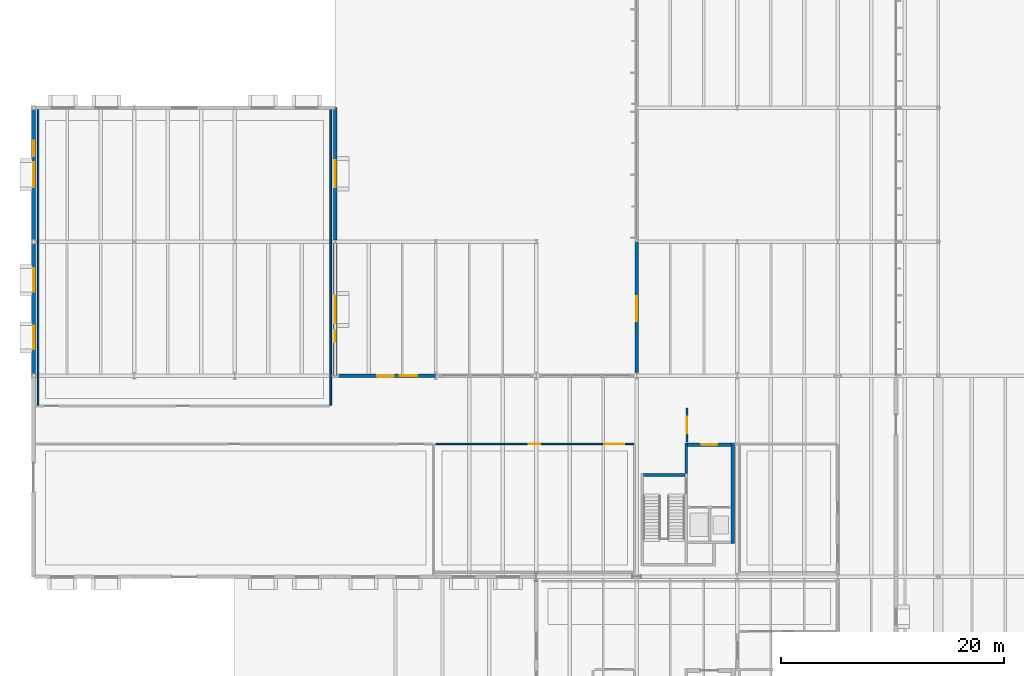
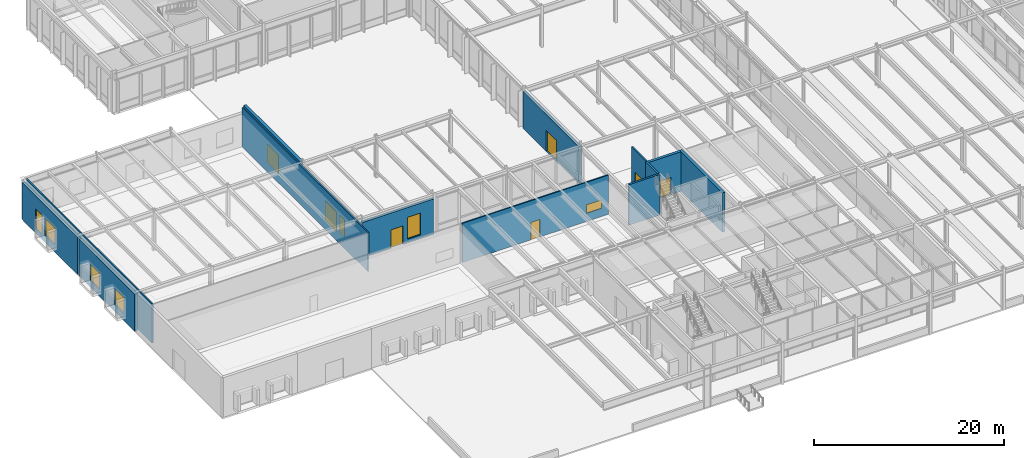
# One storey, part 120 of 143: 14 walls, 9 windows, 5 doors, 14 openings.
"""IFC4 building model written with IfcOpenShell, lengths in metres."""

from ifc_helpers import new_model, si_unit, direction, frame, frame_2d, origin, place, context, subcontext, project, spatial, rectangle, extrude, material, layer, layer_set, type_object, element, fill, save


model = new_model("IFC4")

# Units and contexts
model_context = context("Model", 3, precision=1e-05, world=origin(), true_north=direction((0.0, 1.0)))
body_context = subcontext(model_context, "Body", "Model", "MODEL_VIEW")
ifc_project = project(units=[si_unit("LENGTHUNIT", "METRE"), si_unit("AREAUNIT", "SQUARE_METRE"), si_unit("VOLUMEUNIT", "CUBIC_METRE"), si_unit("PLANEANGLEUNIT", "RADIAN"), si_unit("MASSUNIT", "GRAM", prefix="KILO")], contexts=[model_context])

# Site, building, storey
site_placement = place(None, origin())
site = spatial("IfcSite", under=ifc_project, at=site_placement, CompositionType="ELEMENT")
building_placement = place(site_placement, origin())
building = spatial("IfcBuilding", under=site, at=building_placement, Name="Montelvaro Courts of Justice", CompositionType="ELEMENT")
storey_placement = place(building_placement, origin())
storey = spatial("IfcBuildingStorey", under=building, at=storey_placement, Name="L00", CompositionType="ELEMENT", Elevation=0.0)

# Wall, openings, door, window
ifc_material_1 = material(Name="Gypsum board on metal stud")
ifc_layer_1 = layer(ifc_material_1, 0.14990234375)
ifc_layer_set_1 = layer_set([ifc_layer_1], Name="Gypsum board on metal stud")
wall_type_1 = type_object("IfcWallType", Name="ChambersPartition_150", PredefinedType="PARTITIONING", material=ifc_layer_set_1)
wall_1_placement = place(storey_placement, frame((35.97998046875, 35.89990234375, 0.0), z_axis=(0.0, 0.0, 1.0), x_axis=(1.0, 0.0, 0.0)))
wall_1 = element("IfcWall", 1, at=wall_1_placement, inside=storey, type_object=wall_type_1, Name="Interior Partition IW-04 (L00)", PredefinedType="PARTITIONING", context=body_context, shape_type="SweptSolid", body=[
    extrude(rectangle(XDim=17.739990234375, YDim=0.14990234375, at=frame_2d((8.8701171875, 0.0))), origin(), (0.0, 0.0, 1.0), 5.0400390625),
])
opening_1_placement = place(wall_1_placement, frame((8.344970703125, 0.0, 0.0)))
opening_1 = element("IfcOpeningElement", 2, at=opening_1_placement, cuts=wall_1, Name="Opening D-L00-039", PredefinedType="OPENING", context=body_context, shape_type="SweptSolid", body=[
    extrude(rectangle(XDim=1.050048828125, YDim=2.25, at=frame_2d((0.52490234375, 1.125))), frame((0.0, 0.08984375, 0.0), z_axis=(0.0, -1.0, 0.0), x_axis=(1.0, 0.0, 0.0)), (0.0, 0.0, 1.0), 0.1796875),
])
opening_2_placement = place(wall_1_placement, frame((15.090087890625, 0.0, 1.050048828125)))
opening_2 = element("IfcOpeningElement", 3, at=opening_2_placement, cuts=wall_1, Name="Opening WI-01", PredefinedType="OPENING", context=body_context, shape_type="SweptSolid", body=[
    extrude(rectangle(XDim=1.800048828125, YDim=1.10009765625, at=frame_2d((0.89990234375, 0.550048828125))), frame((0.0, 0.08984375, 0.0), z_axis=(0.0, -1.0, 0.0), x_axis=(1.0, 0.0, 0.0)), (0.0, 0.0, 1.0), 0.1796875),
])
ifc_material_2 = material(Name="Acoustic oak timber veneer", Category="wood")
door_type_1 = type_object("IfcDoorType", Name="ChamberDoor_105x225", OperationType="NOTDEFINED", PredefinedType="DOOR", material=ifc_material_2)
door_1_placement = place(opening_1_placement, frame((1.050048828125, 0.0, 0.0), z_axis=(0.0, 0.0, 1.0), x_axis=(-1.0, 0.0, 0.0)))
door_1 = element("IfcDoor", 4, at=door_1_placement, inside=storey, type_object=door_type_1, Name="Interior Door D-L00-039 (Legal Periodicals Stack Hall)", OperationType="SINGLE_SWING_RIGHT", OverallHeight=2.25, OverallWidth=1.050048828125, PredefinedType="DOOR", context=body_context, shape_type="SweptSolid", body=[
    extrude(rectangle(XDim=1.050048828125, YDim=2.25, at=frame_2d((0.52490234375, 1.125))), frame((0.0, 0.02490234375, 0.0), z_axis=(0.0, -1.0, 0.0), x_axis=(1.0, 0.0, 0.0)), (0.0, 0.0, 1.0), 0.050048828125),
])
fill(opening_1, door_1)
ifc_material_3 = material(Name="Acoustic laminated double glazing", Category="glass")
window_type_1 = type_object("IfcWindowType", Name="IntVision_180x110", PartitioningType="SINGLE_PANEL", PredefinedType="WINDOW", material=ifc_material_3)
window_1_placement = place(opening_2_placement, origin())
window_1 = element("IfcWindow", 5, at=window_1_placement, inside=storey, type_object=window_type_1, Name="Interior Vision Panel WI-021", OverallHeight=1.10009765625, OverallWidth=1.800048828125, PartitioningType="SINGLE_PANEL", PredefinedType="WINDOW", context=body_context, shape_type="SweptSolid", body=[
    extrude(rectangle(XDim=1.800048828125, YDim=1.10009765625, at=frame_2d((0.89990234375, 0.550048828125))), frame((0.0, 0.030029296875, 0.0), z_axis=(0.0, -1.0, 0.0), x_axis=(1.0, 0.0, 0.0)), (0.0, 0.0, 1.0), 0.06005859375),
])
fill(opening_2, window_1)

# Walls
wall_2_placement = place(storey_placement, frame((0.39990234375, 39.3701171875, 0.0), z_axis=(0.0, 0.0, 1.0), x_axis=(0.0, 1.0, 0.0)))
element("IfcWall", 6, at=wall_2_placement, inside=storey, type_object=wall_type_1, Name="Interior Partition IW-04 (L00)", PredefinedType="PARTITIONING", context=body_context, shape_type="SweptSolid", body=[
    extrude(rectangle(XDim=26.471923828125, YDim=0.14990234375, at=frame_2d((13.23583984375, 0.0))), origin(), (0.0, 0.0, 1.0), 5.0400390625),
])
wall_3_placement = place(storey_placement, frame((26.60009765625, 65.830078125, 0.0), z_axis=(0.0, 0.0, 1.0), x_axis=(0.0, -1.0, 0.0)))
element("IfcWall", 7, at=wall_3_placement, inside=storey, type_object=wall_type_1, Name="Interior Partition IW-04 (L00)", PredefinedType="PARTITIONING", context=body_context, shape_type="SweptSolid", body=[
    extrude(rectangle(XDim=26.4501953125, YDim=0.14990234375, at=frame_2d((13.22509765625, 0.0))), origin(), (0.0, 0.0, 1.0), 5.0400390625),
])

# Wall, opening, door
ifc_material_4 = material(Name="Concrete C40/50", Category="concrete")
ifc_layer_2 = layer(ifc_material_4, 0.320068359375)
ifc_layer_set_2 = layer_set([ifc_layer_2], Name="Concrete C40/50")
wall_type_2 = type_object("IfcWallType", Name="CoreWall_320", PredefinedType="SHEAR", material=ifc_layer_set_2)
wall_4_placement = place(storey_placement, frame((58.5400390625, 35.840087890625, 0.0), z_axis=(0.0, 0.0, 1.0), x_axis=(1.0, 0.0, 0.0)))
wall_4 = element("IfcWall", 8, at=wall_4_placement, inside=storey, type_object=wall_type_2, Name="Core Shear Wall CW-02 K5-N (L00)", PredefinedType="SHEAR", context=body_context, shape_type="SweptSolid", body=[
    extrude(rectangle(XDim=3.89990234375, YDim=0.320068359375, at=frame_2d((1.949951171875, 0.0))), origin(), (0.0, 0.0, 1.0), 5.06005859375),
])
opening_3_placement = place(wall_4_placement, frame((1.22509765625, 0.0, 0.0)))
opening_3 = element("IfcOpeningElement", 9, at=opening_3_placement, cuts=wall_4, Name="Opening DL-L00-K5", PredefinedType="OPENING", context=body_context, shape_type="SweptSolid", body=[
    extrude(rectangle(XDim=1.449951171875, YDim=2.199951171875, at=frame_2d((0.72509765625, 1.10009765625))), frame((0.0, 0.1748046875, 0.0), z_axis=(0.0, -1.0, 0.0), x_axis=(1.0, 0.0, 0.0)), (0.0, 0.0, 1.0), 0.349853515625),
])
ifc_material_5 = material(Name="Galvanised steel S355 security door", Category="steel")
door_type_2 = type_object("IfcDoorType", Name="LobbyFireDoor_145x220", OperationType="DOUBLE_DOOR_SINGLE_SWING", PredefinedType="DOOR", material=ifc_material_5)
door_2_placement = place(opening_3_placement, origin())
door_2 = element("IfcDoor", 10, at=door_2_placement, inside=storey, type_object=door_type_2, Name="Core Lobby Fire Door DL-L00-K5", OperationType="DOUBLE_DOOR_SINGLE_SWING", OverallHeight=2.199951171875, OverallWidth=1.449951171875, PredefinedType="DOOR", context=body_context, shape_type="SweptSolid", body=[
    extrude(rectangle(XDim=1.449951171875, YDim=2.199951171875, at=frame_2d((0.72509765625, 1.10009765625))), frame((0.0, 0.02490234375, 0.0), z_axis=(0.0, -1.0, 0.0), x_axis=(1.0, 0.0, 0.0)), (0.0, 0.0, 1.0), 0.050048828125),
])
fill(opening_3, door_2)

# Wall
wall_5_placement = place(storey_placement, frame((62.60009765625, 26.9599609375, 0.0), z_axis=(0.0, 0.0, 1.0), x_axis=(0.0, 1.0, 0.0)))
element("IfcWall", 11, at=wall_5_placement, inside=storey, type_object=wall_type_2, Name="Core Shear Wall CW-02 K5-E (L00)", PredefinedType="SHEAR", context=body_context, shape_type="SweptSolid", body=[
    extrude(rectangle(XDim=9.0400390625, YDim=0.320068359375, at=frame_2d((4.52001953125, 0.0))), origin(), (0.0, 0.0, 1.0), 5.06005859375),
])

# Wall, opening, door
ifc_material_6 = material(Name="Fire-rated gypsum and steel stud", Category="steel")
ifc_layer_3 = layer(ifc_material_6, 0.179931640625)
ifc_layer_set_3 = layer_set([ifc_layer_3], Name="Fire-rated gypsum and steel stud")
wall_type_3 = type_object("IfcWallType", Name="CorridorFireWall_180", PredefinedType="PARTITIONING", material=ifc_layer_set_3)
wall_6_placement = place(storey_placement, frame((58.5, 36.080078125, 0.0), z_axis=(0.0, 0.0, 1.0), x_axis=(0.0, 1.0, 0.0)))
wall_6 = element("IfcWall", 12, at=wall_6_placement, inside=storey, type_object=wall_type_3, Name="Interior Partition IW-02 (L00)", PredefinedType="PARTITIONING", context=body_context, shape_type="SweptSolid", body=[
    extrude(rectangle(XDim=3.0400390625, YDim=0.179931640625, at=frame_2d((1.52001953125, 0.0))), origin(), (0.0, 0.0, 1.0), 5.0400390625),
])
opening_4_placement = place(wall_6_placement, frame((0.794921875, 0.0, 0.0)))
opening_4 = element("IfcOpeningElement", 13, at=opening_4_placement, cuts=wall_6, Name="Opening D-L00-028", PredefinedType="OPENING", context=body_context, shape_type="SweptSolid", body=[
    extrude(rectangle(XDim=1.449951171875, YDim=2.199951171875, at=frame_2d((0.72509765625, 1.10009765625))), frame((0.0, 0.10498046875, 0.0), z_axis=(0.0, -1.0, 0.0), x_axis=(1.0, 0.0, 0.0)), (0.0, 0.0, 1.0), 0.209716796875),
])
door_3_placement = place(opening_4_placement, origin())
door_3 = element("IfcDoor", 14, at=door_3_placement, inside=storey, type_object=door_type_2, Name="Interior Door D-L00-028 (Protected Exit Corridor ST-W1)", OperationType="DOUBLE_DOOR_SINGLE_SWING", OverallHeight=2.199951171875, OverallWidth=1.449951171875, PredefinedType="DOOR", context=body_context, shape_type="SweptSolid", body=[
    extrude(rectangle(XDim=1.449951171875, YDim=2.199951171875, at=frame_2d((0.72509765625, 1.10009765625))), frame((0.0, 0.02490234375, 0.0), z_axis=(0.0, -1.0, 0.0), x_axis=(1.0, 0.0, 0.0)), (0.0, 0.0, 1.0), 0.050048828125),
])
fill(opening_4, door_3)

# Wall, openings, door, window
ifc_material_7 = material(Name="Precast concrete C45/55", Category="concrete")
ifc_layer_4 = layer(ifc_material_7, 0.35009765625)
ifc_layer_set_4 = layer_set([ifc_layer_4], Name="Precast concrete C45/55")
wall_type_4 = type_object("IfcWallType", Name="ExtWall_Limestone_350", PredefinedType="SOLIDWALL", material=ifc_layer_set_4)
wall_7_placement = place(storey_placement, frame((35.991943359375, 42.0, 0.0), z_axis=(0.0, 0.0, 1.0), x_axis=(-1.0, 0.0, 0.0)))
wall_7 = element("IfcWall", 15, at=wall_7_placement, inside=storey, type_object=wall_type_4, Name="Exterior Facade Wall EW-03 (L00)", PredefinedType="SOLIDWALL", context=body_context, shape_type="SweptSolid", body=[
    extrude(rectangle(XDim=8.69384765625, YDim=0.35009765625, at=frame_2d((4.346923828125, 0.0))), origin(), (0.0, 0.0, 1.0), 4.554931640625),
])
opening_5_placement = place(wall_7_placement, frame((3.741943359375, 0.0, 0.0)))
opening_5 = element("IfcOpeningElement", 16, at=opening_5_placement, cuts=wall_7, Name="Opening ME-04", PredefinedType="OPENING", context=body_context, shape_type="SweptSolid", body=[
    extrude(rectangle(XDim=1.5, YDim=2.39990234375, at=frame_2d((0.75, 1.199951171875))), frame((0.0, 0.18994140625, 0.0), z_axis=(0.0, -1.0, 0.0), x_axis=(1.0, 0.0, 0.0)), (0.0, 0.0, 1.0), 0.3798828125),
])
opening_6_placement = place(wall_7_placement, frame((1.634033203125, 0.0, 0.5)))
opening_6 = element("IfcOpeningElement", 17, at=opening_6_placement, cuts=wall_7, Name="Opening WE-33", PredefinedType="OPENING", context=body_context, shape_type="SweptSolid", body=[
    extrude(rectangle(XDim=1.60009765625, YDim=2.800048828125, at=frame_2d((0.800048828125, 1.39990234375))), frame((0.0, 0.18994140625, 0.0), z_axis=(0.0, -1.0, 0.0), x_axis=(1.0, 0.0, 0.0)), (0.0, 0.0, 1.0), 0.3798828125),
])
ifc_material_8 = material(Name="Anodised aluminium and laminated safety glass", Category="aluminium")
door_type_3 = type_object("IfcDoorType", Name="ExtDoor_Shop_150x240", OperationType="DOUBLE_DOOR_SINGLE_SWING", PredefinedType="DOOR", material=ifc_material_8)
door_4_placement = place(opening_5_placement, frame((1.5, 0.0, 0.0), z_axis=(0.0, 0.0, 1.0), x_axis=(-1.0, 0.0, 0.0)))
door_4 = element("IfcDoor", 18, at=door_4_placement, inside=storey, type_object=door_type_3, Name="Law Library Courtyard Entrance ME-04", OperationType="DOUBLE_DOOR_SINGLE_SWING", OverallHeight=2.39990234375, OverallWidth=1.5, PredefinedType="DOOR", context=body_context, shape_type="SweptSolid", body=[
    extrude(rectangle(XDim=1.5, YDim=2.39990234375, at=frame_2d((0.75, 1.199951171875))), frame((0.0, 0.02490234375, 0.0), z_axis=(0.0, -1.0, 0.0), x_axis=(1.0, 0.0, 0.0)), (0.0, 0.0, 1.0), 0.050048828125),
])
fill(opening_5, door_4)
ifc_material_9 = material(Name="Low-E solar control double glazing", Category="glass")
window_type_2 = type_object("IfcWindowType", Name="Win_Tall_160x280", PartitioningType="SINGLE_PANEL", PredefinedType="WINDOW", material=ifc_material_9)
window_2_placement = place(opening_6_placement, origin())
window_2 = element("IfcWindow", 19, at=window_2_placement, inside=storey, type_object=window_type_2, Name="Window W-L00-441", OverallHeight=2.800048828125, OverallWidth=1.60009765625, PartitioningType="SINGLE_PANEL", PredefinedType="WINDOW", context=body_context, shape_type="SweptSolid", body=[
    extrude(rectangle(XDim=1.60009765625, YDim=2.800048828125, at=frame_2d((0.800048828125, 1.39990234375))), frame((0.0, 0.030029296875, 0.0), z_axis=(0.0, -1.0, 0.0), x_axis=(1.0, 0.0, 0.0)), (0.0, 0.0, 1.0), 0.06005859375),
])
fill(opening_6, window_2)

# Wall, openings, windows
wall_8_placement = place(storey_placement, frame((27.0, 42.008056640625, 0.0), z_axis=(0.0, 0.0, 1.0), x_axis=(0.0, 1.0, 0.0)))
wall_8 = element("IfcWall", 20, at=wall_8_placement, inside=storey, type_object=wall_type_4, Name="Exterior Facade Wall EW-03 (L00)", PredefinedType="SOLIDWALL", context=body_context, shape_type="SweptSolid", body=[
    extrude(rectangle(XDim=11.843994140625, YDim=0.35009765625, at=frame_2d((5.921875, 0.0))), origin(), (0.0, 0.0, 1.0), 4.5048828125),
])
opening_7_placement = place(wall_8_placement, frame((4.672119140625, 0.0, 0.550048828125)))
opening_7 = element("IfcOpeningElement", 21, at=opening_7_placement, cuts=wall_8, Name="Opening WE-06", PredefinedType="OPENING", context=body_context, shape_type="SweptSolid", body=[
    extrude(rectangle(XDim=2.5, YDim=2.5, at=frame_2d((1.25, 1.25))), frame((0.0, 0.18994140625, 0.0), z_axis=(0.0, -1.0, 0.0), x_axis=(1.0, 0.0, 0.0)), (0.0, 0.0, 1.0), 0.3798828125),
])
opening_8_placement = place(wall_8_placement, frame((3.052978515625, 0.0, 0.85009765625)))
opening_8 = element("IfcOpeningElement", 22, at=opening_8_placement, cuts=wall_8, Name="Opening WE-34", PredefinedType="OPENING", context=body_context, shape_type="SweptSolid", body=[
    extrude(rectangle(XDim=1.0, YDim=2.199951171875, at=frame_2d((0.5, 1.10009765625))), frame((0.0, 0.18994140625, 0.0), z_axis=(0.0, -1.0, 0.0), x_axis=(1.0, 0.0, 0.0)), (0.0, 0.0, 1.0), 0.3798828125),
])
window_type_3 = type_object("IfcWindowType", Name="Win_Sq_250x250", PartitioningType="SINGLE_PANEL", PredefinedType="WINDOW", material=ifc_material_9)
window_3_placement = place(opening_7_placement, origin())
window_3 = element("IfcWindow", 23, at=window_3_placement, inside=storey, type_object=window_type_3, Name="Window W-L00-011", OverallHeight=2.5, OverallWidth=2.5, PartitioningType="SINGLE_PANEL", PredefinedType="WINDOW", context=body_context, shape_type="SweptSolid", body=[
    extrude(rectangle(XDim=2.5, YDim=2.5, at=frame_2d((1.25, 1.25))), frame((0.0, 0.030029296875, 0.0), z_axis=(0.0, -1.0, 0.0), x_axis=(1.0, 0.0, 0.0)), (0.0, 0.0, 1.0), 0.06005859375),
])
fill(opening_7, window_3)
window_type_4 = type_object("IfcWindowType", Name="Win_Tall_100x220", PartitioningType="SINGLE_PANEL", PredefinedType="WINDOW", material=ifc_material_9)
window_4_placement = place(opening_8_placement, origin())
window_4 = element("IfcWindow", 24, at=window_4_placement, inside=storey, type_object=window_type_4, Name="Window W-L00-453", OverallHeight=2.199951171875, OverallWidth=1.0, PartitioningType="SINGLE_PANEL", PredefinedType="WINDOW", context=body_context, shape_type="SweptSolid", body=[
    extrude(rectangle(XDim=1.0, YDim=2.199951171875, at=frame_2d((0.5, 1.10009765625))), frame((0.0, 0.030029296875, 0.0), z_axis=(0.0, -1.0, 0.0), x_axis=(1.0, 0.0, 0.0)), (0.0, 0.0, 1.0), 0.06005859375),
])
fill(opening_8, window_4)

# Wall, opening, window
wall_9_placement = place(storey_placement, frame((27.0, 54.14794921875, 0.0), z_axis=(0.0, 0.0, 1.0), x_axis=(0.0, 1.0, 0.0)))
wall_9 = element("IfcWall", 25, at=wall_9_placement, inside=storey, type_object=wall_type_4, Name="Exterior Facade Wall EW-03 (L00)", PredefinedType="SOLIDWALL", context=body_context, shape_type="SweptSolid", body=[
    extrude(rectangle(XDim=11.89208984375, YDim=0.35009765625, at=frame_2d((5.946044921875, 0.0))), origin(), (0.0, 0.0, 1.0), 5.080078125),
])
opening_9_placement = place(wall_9_placement, frame((4.74609375, 0.0, 0.550048828125)))
opening_9 = element("IfcOpeningElement", 26, at=opening_9_placement, cuts=wall_9, Name="Opening WE-07", PredefinedType="OPENING", context=body_context, shape_type="SweptSolid", body=[
    extrude(rectangle(XDim=2.39990234375, YDim=2.39990234375, at=frame_2d((1.199951171875, 1.199951171875))), frame((0.0, 0.18994140625, 0.0), z_axis=(0.0, -1.0, 0.0), x_axis=(1.0, 0.0, 0.0)), (0.0, 0.0, 1.0), 0.3798828125),
])
window_type_5 = type_object("IfcWindowType", Name="Win_Sq_240x240", PartitioningType="SINGLE_PANEL", PredefinedType="WINDOW", material=ifc_material_9)
window_5_placement = place(opening_9_placement, origin())
window_5 = element("IfcWindow", 27, at=window_5_placement, inside=storey, type_object=window_type_5, Name="Window W-L00-012", OverallHeight=2.39990234375, OverallWidth=2.39990234375, PartitioningType="SINGLE_PANEL", PredefinedType="WINDOW", context=body_context, shape_type="SweptSolid", body=[
    extrude(rectangle(XDim=2.39990234375, YDim=2.39990234375, at=frame_2d((1.199951171875, 1.199951171875))), frame((0.0, 0.030029296875, 0.0), z_axis=(0.0, -1.0, 0.0), x_axis=(1.0, 0.0, 0.0)), (0.0, 0.0, 1.0), 0.06005859375),
])
fill(opening_9, window_5)

# Wall, openings, windows
wall_10_placement = place(storey_placement, frame((0.0, 65.842041015625, 0.0), z_axis=(0.0, 0.0, 1.0), x_axis=(0.0, -1.0, 0.0)))
wall_10 = element("IfcWall", 28, at=wall_10_placement, inside=storey, type_object=wall_type_4, Name="Exterior Facade Wall EW-03 (L00)", PredefinedType="SOLIDWALL", context=body_context, shape_type="SweptSolid", body=[
    extrude(rectangle(XDim=11.68408203125, YDim=0.35009765625, at=frame_2d((5.842041015625, 0.0))), origin(), (0.0, 0.0, 1.0), 4.7548828125),
])
opening_10_placement = place(wall_10_placement, frame((4.741943359375, 0.0, 0.85009765625)))
opening_10 = element("IfcOpeningElement", 29, at=opening_10_placement, cuts=wall_10, Name="Opening WE-09", PredefinedType="OPENING", context=body_context, shape_type="SweptSolid", body=[
    extrude(rectangle(XDim=2.199951171875, YDim=2.199951171875, at=frame_2d((1.10009765625, 1.10009765625))), frame((0.0, 0.18994140625, 0.0), z_axis=(0.0, -1.0, 0.0), x_axis=(1.0, 0.0, 0.0)), (0.0, 0.0, 1.0), 0.3798828125),
])
opening_11_placement = place(wall_10_placement, frame((2.804931640625, 0.0, 0.5)))
opening_11 = element("IfcOpeningElement", 30, at=opening_11_placement, cuts=wall_10, Name="Opening WE-32", PredefinedType="OPENING", context=body_context, shape_type="SweptSolid", body=[
    extrude(rectangle(XDim=1.39990234375, YDim=2.60009765625, at=frame_2d((0.699951171875, 1.300048828125))), frame((0.0, 0.18994140625, 0.0), z_axis=(0.0, -1.0, 0.0), x_axis=(1.0, 0.0, 0.0)), (0.0, 0.0, 1.0), 0.3798828125),
])
window_type_6 = type_object("IfcWindowType", Name="Win_Sq_220x220", PartitioningType="SINGLE_PANEL", PredefinedType="WINDOW", material=ifc_material_9)
window_6_placement = place(opening_10_placement, origin())
window_6 = element("IfcWindow", 31, at=window_6_placement, inside=storey, type_object=window_type_6, Name="Window W-L00-017", OverallHeight=2.199951171875, OverallWidth=2.199951171875, PartitioningType="SINGLE_PANEL", PredefinedType="WINDOW", context=body_context, shape_type="SweptSolid", body=[
    extrude(rectangle(XDim=2.199951171875, YDim=2.199951171875, at=frame_2d((1.10009765625, 1.10009765625))), frame((0.0, 0.030029296875, 0.0), z_axis=(0.0, -1.0, 0.0), x_axis=(1.0, 0.0, 0.0)), (0.0, 0.0, 1.0), 0.06005859375),
])
fill(opening_10, window_6)
window_type_7 = type_object("IfcWindowType", Name="Win_Tall_140x260", PartitioningType="SINGLE_PANEL", PredefinedType="WINDOW", material=ifc_material_9)
window_7_placement = place(opening_11_placement, origin())
window_7 = element("IfcWindow", 32, at=window_7_placement, inside=storey, type_object=window_type_7, Name="Window W-L00-430", OverallHeight=2.60009765625, OverallWidth=1.39990234375, PartitioningType="SINGLE_PANEL", PredefinedType="WINDOW", context=body_context, shape_type="SweptSolid", body=[
    extrude(rectangle(XDim=1.39990234375, YDim=2.60009765625, at=frame_2d((0.699951171875, 1.300048828125))), frame((0.0, 0.030029296875, 0.0), z_axis=(0.0, -1.0, 0.0), x_axis=(1.0, 0.0, 0.0)), (0.0, 0.0, 1.0), 0.06005859375),
])
fill(opening_11, window_7)

wall_11_placement = place(storey_placement, frame((0.0, 53.842041015625, 0.0), z_axis=(0.0, 0.0, 1.0), x_axis=(0.0, -1.0, 0.0)))
wall_11 = element("IfcWall", 33, at=wall_11_placement, inside=storey, type_object=wall_type_4, Name="Exterior Facade Wall EW-03 (L00)", PredefinedType="SOLIDWALL", context=body_context, shape_type="SweptSolid", body=[
    extrude(rectangle(XDim=11.68408203125, YDim=0.35009765625, at=frame_2d((5.842041015625, 0.0))), origin(), (0.0, 0.0, 1.0), 4.7548828125),
])
opening_12_placement = place(wall_11_placement, frame((2.221923828125, 0.0, 0.85009765625)))
opening_12 = element("IfcOpeningElement", 34, at=opening_12_placement, cuts=wall_11, Name="Opening WE-10", PredefinedType="OPENING", context=body_context, shape_type="SweptSolid", body=[
    extrude(rectangle(XDim=2.10009765625, YDim=2.10009765625, at=frame_2d((1.050048828125, 1.050048828125))), frame((0.0, 0.18994140625, 0.0), z_axis=(0.0, -1.0, 0.0), x_axis=(1.0, 0.0, 0.0)), (0.0, 0.0, 1.0), 0.3798828125),
])
opening_13_placement = place(wall_11_placement, frame((7.363037109375, 0.0, 0.85009765625)))
opening_13 = element("IfcOpeningElement", 35, at=opening_13_placement, cuts=wall_11, Name="Opening WE-10", PredefinedType="OPENING", context=body_context, shape_type="SweptSolid", body=[
    extrude(rectangle(XDim=2.10009765625, YDim=2.10009765625, at=frame_2d((1.050048828125, 1.050048828125))), frame((0.0, 0.18994140625, 0.0), z_axis=(0.0, -1.0, 0.0), x_axis=(1.0, 0.0, 0.0)), (0.0, 0.0, 1.0), 0.3798828125),
])
window_type_8 = type_object("IfcWindowType", Name="Win_Sq_210x210", PartitioningType="SINGLE_PANEL", PredefinedType="WINDOW", material=ifc_material_9)
window_8_placement = place(opening_12_placement, origin())
window_8 = element("IfcWindow", 36, at=window_8_placement, inside=storey, type_object=window_type_8, Name="Window W-L00-018", OverallHeight=2.10009765625, OverallWidth=2.10009765625, PartitioningType="SINGLE_PANEL", PredefinedType="WINDOW", context=body_context, shape_type="SweptSolid", body=[
    extrude(rectangle(XDim=2.10009765625, YDim=2.10009765625, at=frame_2d((1.050048828125, 1.050048828125))), frame((0.0, 0.030029296875, 0.0), z_axis=(0.0, -1.0, 0.0), x_axis=(1.0, 0.0, 0.0)), (0.0, 0.0, 1.0), 0.06005859375),
])
fill(opening_12, window_8)
window_9_placement = place(opening_13_placement, origin())
window_9 = element("IfcWindow", 37, at=window_9_placement, inside=storey, type_object=window_type_8, Name="Window W-L00-019", OverallHeight=2.10009765625, OverallWidth=2.10009765625, PartitioningType="SINGLE_PANEL", PredefinedType="WINDOW", context=body_context, shape_type="SweptSolid", body=[
    extrude(rectangle(XDim=2.10009765625, YDim=2.10009765625, at=frame_2d((1.050048828125, 1.050048828125))), frame((0.0, 0.030029296875, 0.0), z_axis=(0.0, -1.0, 0.0), x_axis=(1.0, 0.0, 0.0)), (0.0, 0.0, 1.0), 0.06005859375),
])
fill(opening_13, window_9)

# Wall, opening, door
wall_12_placement = place(storey_placement, frame((54.0, 53.991943359375, 0.0), z_axis=(0.0, 0.0, 1.0), x_axis=(0.0, -1.0, 0.0)))
wall_12 = element("IfcWall", 38, at=wall_12_placement, inside=storey, type_object=wall_type_4, Name="Exterior Facade Wall EW-03 (L00)", PredefinedType="SOLIDWALL", context=body_context, shape_type="SweptSolid", body=[
    extrude(rectangle(XDim=11.718994140625, YDim=0.35009765625, at=frame_2d((5.859375, 0.0))), origin(), (0.0, 0.0, 1.0), 4.72509765625),
])
opening_14_placement = place(wall_12_placement, frame((4.89208984375, 0.0, 0.0)))
opening_14 = element("IfcOpeningElement", 39, at=opening_14_placement, cuts=wall_12, Name="Opening ME-01", PredefinedType="OPENING", context=body_context, shape_type="SweptSolid", body=[
    extrude(rectangle(XDim=2.199951171875, YDim=2.699951171875, at=frame_2d((1.10009765625, 1.35009765625))), frame((0.0, 0.18994140625, 0.0), z_axis=(0.0, -1.0, 0.0), x_axis=(1.0, 0.0, 0.0)), (0.0, 0.0, 1.0), 0.3798828125),
])
door_type_4 = type_object("IfcDoorType", Name="ExtDoor_Main_220x270", OperationType="DOUBLE_DOOR_SINGLE_SWING", PredefinedType="DOOR", material=ifc_material_8)
door_5_placement = place(opening_14_placement, frame((2.199951171875, 0.0, 0.0), z_axis=(0.0, 0.0, 1.0), x_axis=(-1.0, 0.0, 0.0)))
door_5 = element("IfcDoor", 40, at=door_5_placement, inside=storey, type_object=door_type_4, Name="Main Public Entrance ME-01 Public Hall", OperationType="DOUBLE_DOOR_SINGLE_SWING", OverallHeight=2.699951171875, OverallWidth=2.199951171875, PredefinedType="DOOR", context=body_context, shape_type="SweptSolid", body=[
    extrude(rectangle(XDim=2.199951171875, YDim=2.699951171875, at=frame_2d((1.10009765625, 1.35009765625))), frame((0.0, 0.02490234375, 0.0), z_axis=(0.0, -1.0, 0.0), x_axis=(1.0, 0.0, 0.0)), (0.0, 0.0, 1.0), 0.050048828125),
])
fill(opening_14, door_5)

# Walls
ifc_material_10 = material(Name="Concrete C35/45", Category="concrete")
ifc_layer_5 = layer(ifc_material_10, 0.239990234375)
ifc_layer_set_5 = layer_set([ifc_layer_5], Name="Concrete C35/45")
wall_type_5 = type_object("IfcWallType", Name="ShaftWall_240", PredefinedType="SHEAR", material=ifc_layer_set_5)
wall_13_placement = place(storey_placement, frame((54.60009765625, 33.1201171875, 0.0), z_axis=(0.0, 0.0, 1.0), x_axis=(1.0, 0.0, 0.0)))
element("IfcWall", 41, at=wall_13_placement, inside=storey, type_object=wall_type_5, Name="Protected Stair Structural Wall ST-W1-N (L00)", PredefinedType="SHEAR", context=body_context, shape_type="SweptSolid", body=[
    extrude(rectangle(XDim=3.699951171875, YDim=0.239990234375, at=frame_2d((1.85009765625, 0.0))), origin(), (0.0, 0.0, 1.0), 5.2099609375),
])
wall_14_placement = place(storey_placement, frame((58.419921875, 33.239990234375, 0.0), z_axis=(0.0, 0.0, 1.0), x_axis=(0.0, 1.0, 0.0)))
element("IfcWall", 42, at=wall_14_placement, inside=storey, type_object=wall_type_5, Name="Core Lobby Structural Wall K5-W (L00)", PredefinedType="SHEAR", context=body_context, shape_type="SweptSolid", body=[
    extrude(rectangle(XDim=2.760009765625, YDim=0.239990234375, at=frame_2d((1.3798828125, 0.0))), origin(), (0.0, 0.0, 1.0), 5.06005859375),
])

save(model, "model.ifc")
